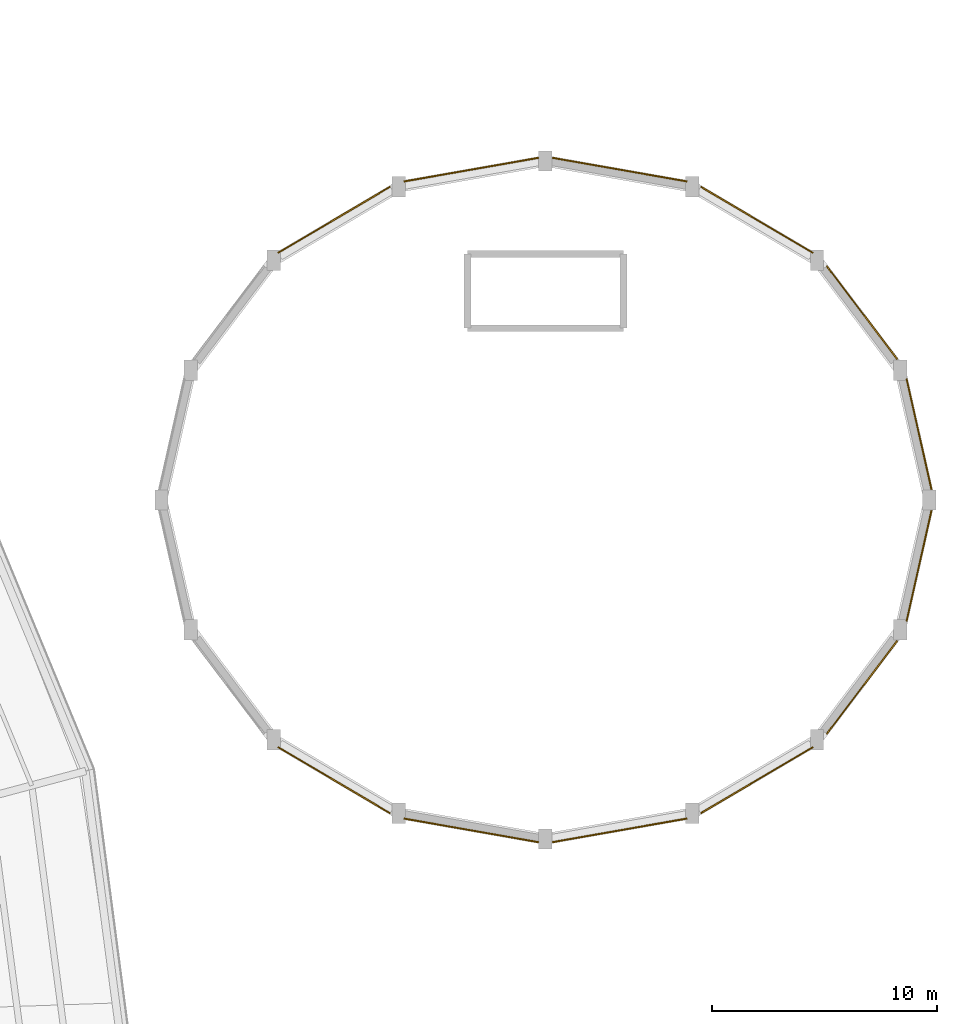
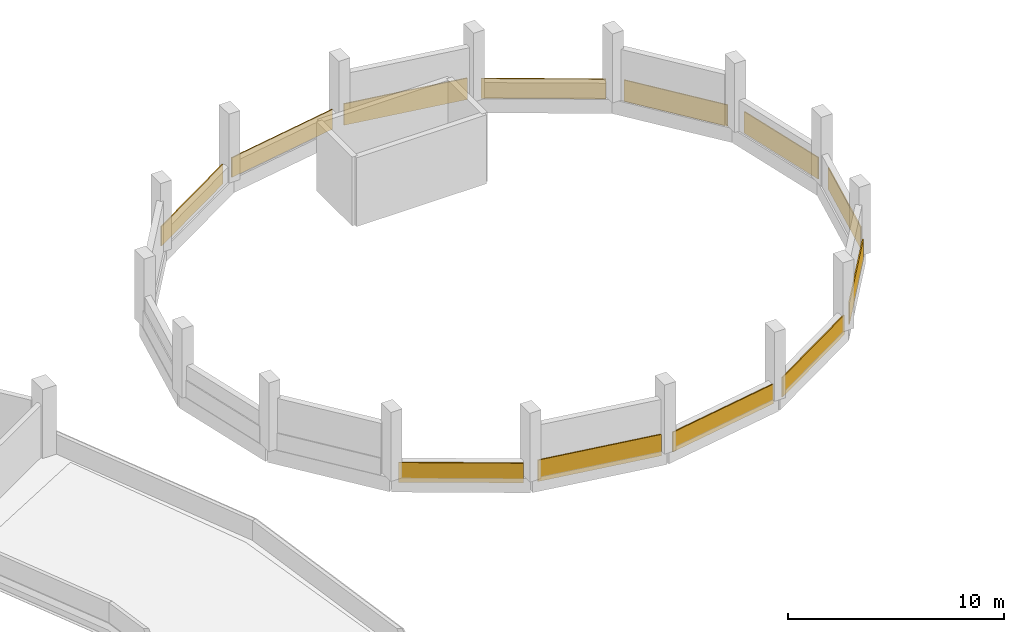
# One storey, part 108 of 108: 12 coverings.
"""IFC4 building model written with IfcOpenShell, lengths in metres."""

from ifc_helpers import new_model, si_unit, direction, frame, frame_2d, origin, place, context, subcontext, project, spatial, rectangle, extrude, material, layer, layer_set, type_object, element, save


model = new_model("IFC4")

# Units and contexts
model_context = context("Model", 3, precision=1e-05, world=origin(), true_north=direction((0.0, 1.0)))
body_context = subcontext(model_context, "Body", "Model", "MODEL_VIEW")
ifc_project = project(units=[si_unit("LENGTHUNIT", "METRE"), si_unit("AREAUNIT", "SQUARE_METRE"), si_unit("VOLUMEUNIT", "CUBIC_METRE"), si_unit("PLANEANGLEUNIT", "RADIAN"), si_unit("MASSUNIT", "GRAM", prefix="KILO")], contexts=[model_context])

# Site, building, storey
site_placement = place(None, origin())
site = spatial("IfcSite", under=ifc_project, at=site_placement, CompositionType="ELEMENT")
building_placement = place(site_placement, origin())
building = spatial("IfcBuilding", under=site, at=building_placement, Name="Vespera Passage Community Centre", CompositionType="ELEMENT")
storey_placement = place(building_placement, frame((0.0, 0.0, 12.60009765625)))
storey = spatial("IfcBuildingStorey", under=building, at=storey_placement, Name="L03", CompositionType="ELEMENT", Elevation=12.60009765625)

# Coverings
ifc_material = material(Name="Precast concrete f'c 40 MPa", Category="concrete")
ifc_layer = layer(ifc_material, 0.06005859375)
ifc_layer_set = layer_set([ifc_layer], Name="Precast concrete f'c 40 MPa")
covering_type = type_object("IfcCoveringType", Name="COV-CLAD-60E", PredefinedType="CLADDING", material=ifc_layer_set)
covering_1_placement = place(storey_placement, frame((159.07958984375, 94.894775390625, -0.260009765625), z_axis=(0.0, 0.0, 1.0), x_axis=(0.219734171438, -0.975559784894, 0.0)))
element("IfcCovering", 1, at=covering_1_placement, inside=storey, type_object=covering_type, Name="V2 L03 White Clerestory Band 1", PredefinedType="CLADDING", context=body_context, shape_type="SweptSolid", body=[
    extrude(rectangle(XDim=5.051025390625, YDim=0.06005859375, at=frame_2d((2.525390625, 0.0))), origin(), (0.0, 0.0, 1.0), 1.2099609375),
])
covering_2_placement = place(storey_placement, frame((155.52783203125, 99.915283203125, -0.260009765625), z_axis=(0.0, 0.0, 1.0), x_axis=(0.603398282319, -0.797439974477, 0.0)))
element("IfcCovering", 2, at=covering_2_placement, inside=storey, type_object=covering_type, Name="V2 L03 White Clerestory Band 2", PredefinedType="CLADDING", context=body_context, shape_type="SweptSolid", body=[
    extrude(rectangle(XDim=5.19873046875, YDim=0.06005859375, at=frame_2d((2.599365234375, 0.0))), origin(), (0.0, 0.0, 1.0), 1.2099609375),
])
covering_3_placement = place(storey_placement, frame((149.9189453125, 103.449951171875, -0.260009765625), z_axis=(0.0, 0.0, 1.0), x_axis=(0.861246761334, -0.508186989297, 0.0)))
element("IfcCovering", 3, at=covering_3_placement, inside=storey, type_object=covering_type, Name="V2 L03 White Spandrel Band 3", PredefinedType="CLADDING", context=body_context, shape_type="SweptSolid", body=[
    extrude(rectangle(XDim=5.794677734375, YDim=0.06005859375, at=frame_2d((2.8974609375, 0.0))), origin(), (0.0, 0.0, 1.0), 1.10986328125),
])
covering_4_placement = place(storey_placement, frame((143.308349609375, 104.73876953125, -0.260009765625), z_axis=(0.0, 0.0, 1.0), x_axis=(0.984920582468, -0.173007069888, 0.0)))
element("IfcCovering", 4, at=covering_4_placement, inside=storey, type_object=covering_type, Name="V2 L03 White Clerestory Band 4", PredefinedType="CLADDING", context=body_context, shape_type="SweptSolid", body=[
    extrude(rectangle(XDim=6.0849609375, YDim=0.06005859375, at=frame_2d((3.04248046875, 0.0))), origin(), (0.0, 0.0, 1.0), 1.2099609375),
])
covering_5_placement = place(storey_placement, frame((136.698486328125, 103.68603515625, -0.260009765625), z_axis=(0.0, 0.0, 1.0), x_axis=(0.984920582468, 0.173007069888, 0.0)))
element("IfcCovering", 5, at=covering_5_placement, inside=storey, type_object=covering_type, Name="V2 L03 White Spandrel Band 5", PredefinedType="CLADDING", context=body_context, shape_type="SweptSolid", body=[
    extrude(rectangle(XDim=6.0849609375, YDim=0.06005859375, at=frame_2d((3.04248046875, 0.0))), origin(), (0.0, 0.0, 1.0), 1.10986328125),
])
for number, where, z_axis, x_axis, name in (
    (6, (131.09033203125, 100.505126953125, -0.260009765625), (0.0, 0.0, 1.0), (0.861246761334, 0.508186989297, 0.0), "V2 L03 White Spandrel Band 6"),
    (7, (136.0810546875, 75.550048828125, -0.260009765625), (0.0, 0.0, 1.0), (-0.861246761334, 0.508186989297, 0.0), "V2 L03 White Spandrel Band 11"),
):
    element("IfcCovering", number, at=place(storey_placement, frame(where, z_axis=z_axis, x_axis=x_axis)), inside=storey, type_object=covering_type, Name=name, PredefinedType="CLADDING", context=body_context, shape_type="SweptSolid", body=[
        extrude(rectangle(XDim=5.794677734375, YDim=0.06005859375, at=frame_2d((2.8974609375, 0.0))), origin(), (0.0, 0.0, 1.0), 1.10986328125),
    ])
covering_6_placement = place(storey_placement, frame((142.691650390625, 74.26123046875, -0.260009765625), z_axis=(0.0, 0.0, 1.0), x_axis=(-0.984920582468, 0.173007069888, 0.0)))
element("IfcCovering", 8, at=covering_6_placement, inside=storey, type_object=covering_type, Name="V2 L03 White Clerestory Band 12", PredefinedType="CLADDING", context=body_context, shape_type="SweptSolid", body=[
    extrude(rectangle(XDim=6.0849609375, YDim=0.06005859375, at=frame_2d((3.04248046875, 0.0))), origin(), (0.0, 0.0, 1.0), 1.2099609375),
])
covering_7_placement = place(storey_placement, frame((149.301513671875, 75.31396484375, -0.260009765625), z_axis=(0.0, 0.0, 1.0), x_axis=(-0.984920582468, -0.173007069888, 0.0)))
element("IfcCovering", 9, at=covering_7_placement, inside=storey, type_object=covering_type, Name="V2 L03 White Spandrel Band 13", PredefinedType="CLADDING", context=body_context, shape_type="SweptSolid", body=[
    extrude(rectangle(XDim=6.0849609375, YDim=0.06005859375, at=frame_2d((3.04248046875, 0.0))), origin(), (0.0, 0.0, 1.0), 1.10986328125),
])
covering_8_placement = place(storey_placement, frame((154.90966796875, 78.494873046875, -0.260009765625), z_axis=(0.0, 0.0, 1.0), x_axis=(-0.861246761334, -0.508186989297, 0.0)))
element("IfcCovering", 10, at=covering_8_placement, inside=storey, type_object=covering_type, Name="V2 L03 White Spandrel Band 14", PredefinedType="CLADDING", context=body_context, shape_type="SweptSolid", body=[
    extrude(rectangle(XDim=5.794677734375, YDim=0.06005859375, at=frame_2d((2.8974609375, 0.0))), origin(), (0.0, 0.0, 1.0), 1.10986328125),
])
covering_9_placement = place(storey_placement, frame((158.664794921875, 83.23046875, -0.260009765625), z_axis=(0.0, 0.0, 1.0), x_axis=(-0.603398282319, -0.797439974477, 0.0)))
element("IfcCovering", 11, at=covering_9_placement, inside=storey, type_object=covering_type, Name="V2 L03 White Clerestory Band 15", PredefinedType="CLADDING", context=body_context, shape_type="SweptSolid", body=[
    extrude(rectangle(XDim=5.19873046875, YDim=0.06005859375, at=frame_2d((2.599365234375, 0.0))), origin(), (0.0, 0.0, 1.0), 1.2099609375),
])
covering_10_placement = place(storey_placement, frame((160.189453125, 89.03271484375, -0.260009765625), z_axis=(0.0, 0.0, 1.0), x_axis=(-0.219734171438, -0.975559784894, 0.0)))
element("IfcCovering", 12, at=covering_10_placement, inside=storey, type_object=covering_type, Name="V2 L03 White Clerestory Band 16", PredefinedType="CLADDING", context=body_context, shape_type="SweptSolid", body=[
    extrude(rectangle(XDim=5.051025390625, YDim=0.06005859375, at=frame_2d((2.525390625, 0.0))), origin(), (0.0, 0.0, 1.0), 1.2099609375),
])

save(model, "model.ifc")
